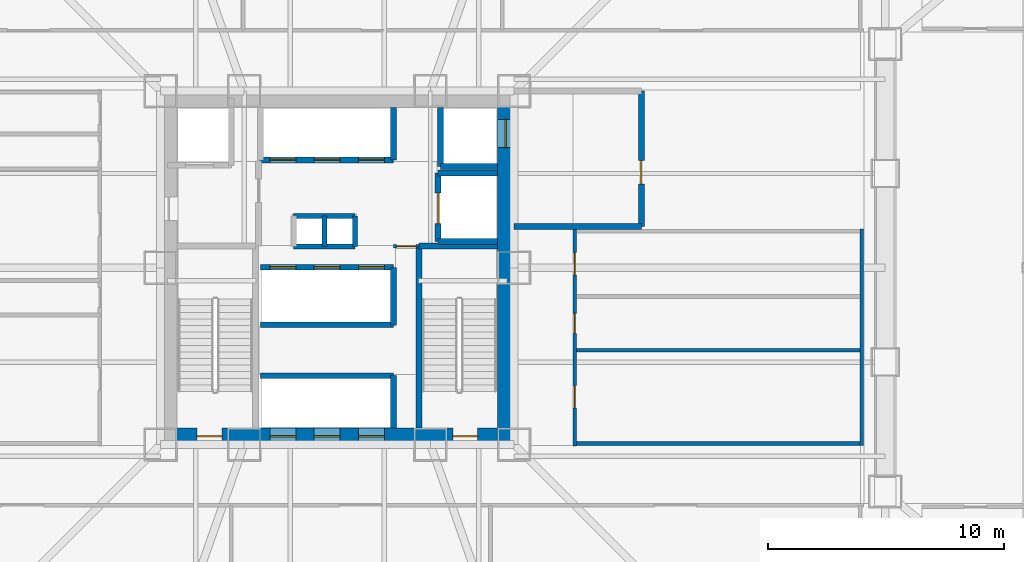
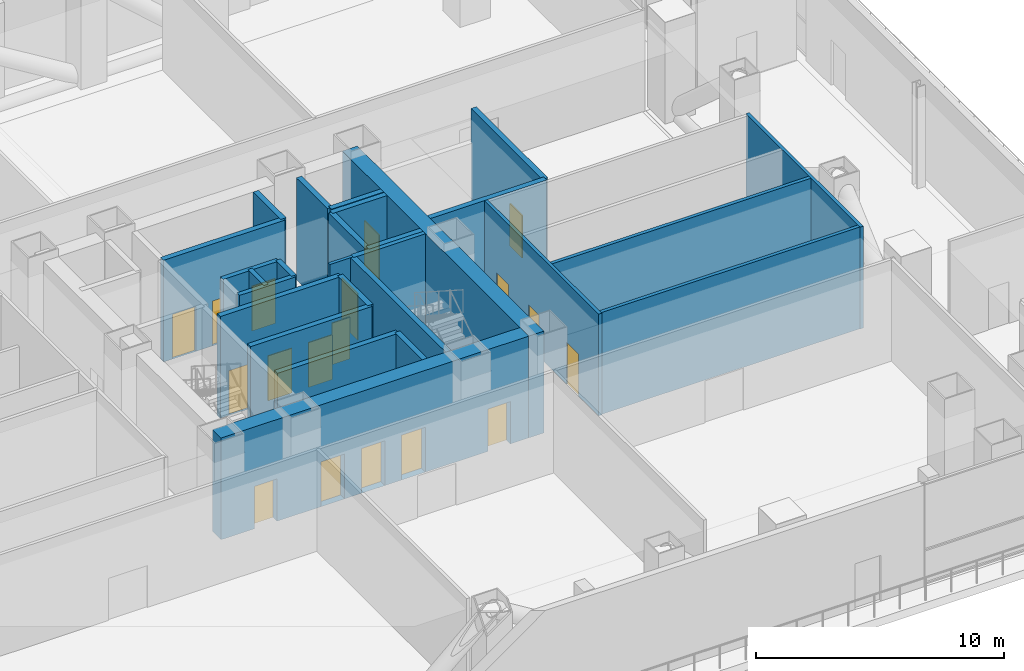
# One storey, part 15 of 21: 27 walls, 18 doors, 18 openings.
"""IFC4 building model written with IfcOpenShell, lengths in metres."""

from ifc_helpers import new_model, si_unit, direction, frame, frame_2d, origin, place, context, subcontext, project, spatial, rectangle, extrude, material, layer, layer_set, type_object, element, fill, save


model = new_model("IFC4")

# Units and contexts
model_context = context("Model", 3, precision=1e-05, world=origin(), true_north=direction((0.0, 1.0)))
body_context = subcontext(model_context, "Body", "Model", "MODEL_VIEW")
ifc_project = project(units=[si_unit("LENGTHUNIT", "METRE"), si_unit("AREAUNIT", "SQUARE_METRE"), si_unit("VOLUMEUNIT", "CUBIC_METRE"), si_unit("PLANEANGLEUNIT", "RADIAN"), si_unit("MASSUNIT", "GRAM", prefix="KILO")], contexts=[model_context])

# Site, building, storey
site_placement = place(None, origin())
site = spatial("IfcSite", under=ifc_project, at=site_placement, CompositionType="ELEMENT")
building_placement = place(site_placement, origin())
building = spatial("IfcBuilding", under=site, at=building_placement, Name="Trevonay Congress Spire", CompositionType="ELEMENT")
storey_placement = place(building_placement, frame((0.0, 0.0, 21.60009765625)))
storey = spatial("IfcBuildingStorey", under=building, at=storey_placement, Name="L04", CompositionType="ELEMENT", Elevation=21.60009765625)

# Wall, openings, doors
ifc_material_1 = material(Name="Concrete C60/75", Category="concrete")
ifc_layer_1 = layer(ifc_material_1, 0.699951171875, Name="Concrete C60/75")
ifc_layer_set_1 = layer_set([ifc_layer_1], Name="Concrete C60/75")
wall_type_1 = type_object("IfcWallType", Name="WAL-CORE-700", PredefinedType="SHEAR", material=ifc_layer_set_1)
wall_1_placement = place(storey_placement, frame((-7.5, -7.14990234375, 0.0), z_axis=(0.0, 0.0, 1.0), x_axis=(1.0, 0.0, 0.0)))
wall_1 = element("IfcWall", 1, at=wall_1_placement, inside=storey, type_object=wall_type_1, Name="L04 South structural core shear wall", PredefinedType="SHEAR", context=body_context, shape_type="SweptSolid", body=[
    extrude(rectangle(XDim=15.0, YDim=0.699951171875, at=frame_2d((7.5, 0.0))), origin(), (0.0, 0.0, 1.0), 5.0),
])
opening_1_placement = place(wall_1_placement, frame((1.550048828125, 0.0, 0.0)))
opening_1 = element("IfcOpeningElement", 2, at=opening_1_placement, cuts=wall_1, Name="Opening D05", PredefinedType="OPENING", context=body_context, shape_type="SweptSolid", body=[
    extrude(rectangle(XDim=1.050048828125, YDim=2.080078125, at=frame_2d((0.52490234375, 1.0400390625))), frame((0.0, 0.35986328125, 0.0), z_axis=(0.0, -1.0, 0.0), x_axis=(1.0, 0.0, 0.0)), (0.0, 0.0, 1.0), 0.719970703125),
])
opening_2_placement = place(wall_1_placement, frame((12.39990234375, 0.0, 0.0)))
opening_2 = element("IfcOpeningElement", 3, at=opening_2_placement, cuts=wall_1, Name="Opening D05", PredefinedType="OPENING", context=body_context, shape_type="SweptSolid", body=[
    extrude(rectangle(XDim=1.050048828125, YDim=2.080078125, at=frame_2d((0.52490234375, 1.0400390625))), frame((0.0, 0.35986328125, 0.0), z_axis=(0.0, -1.0, 0.0), x_axis=(1.0, 0.0, 0.0)), (0.0, 0.0, 1.0), 0.719970703125),
])
opening_3_placement = place(wall_1_placement, frame((4.639892578125, 0.0, 0.0)))
opening_3 = element("IfcOpeningElement", 4, at=opening_3_placement, cuts=wall_1, Name="Opening LD01", PredefinedType="OPENING", context=body_context, shape_type="SweptSolid", body=[
    extrude(rectangle(XDim=1.10009765625, YDim=2.199951171875, at=frame_2d((0.550048828125, 1.10009765625))), frame((0.0, 0.35986328125, 0.0), z_axis=(0.0, -1.0, 0.0), x_axis=(1.0, 0.0, 0.0)), (0.0, 0.0, 1.0), 0.719970703125),
])
opening_4_placement = place(wall_1_placement, frame((6.52001953125, 0.0, 0.0)))
opening_4 = element("IfcOpeningElement", 5, at=opening_4_placement, cuts=wall_1, Name="Opening LD01", PredefinedType="OPENING", context=body_context, shape_type="SweptSolid", body=[
    extrude(rectangle(XDim=1.10009765625, YDim=2.199951171875, at=frame_2d((0.550048828125, 1.10009765625))), frame((0.0, 0.35986328125, 0.0), z_axis=(0.0, -1.0, 0.0), x_axis=(1.0, 0.0, 0.0)), (0.0, 0.0, 1.0), 0.719970703125),
])
opening_5_placement = place(wall_1_placement, frame((8.39990234375, 0.0, 0.0)))
opening_5 = element("IfcOpeningElement", 6, at=opening_5_placement, cuts=wall_1, Name="Opening LD01", PredefinedType="OPENING", context=body_context, shape_type="SweptSolid", body=[
    extrude(rectangle(XDim=1.10009765625, YDim=2.199951171875, at=frame_2d((0.550048828125, 1.10009765625))), frame((0.0, 0.35986328125, 0.0), z_axis=(0.0, -1.0, 0.0), x_axis=(1.0, 0.0, 0.0)), (0.0, 0.0, 1.0), 0.719970703125),
])
ifc_material_2 = material(Name="Pale Anodised Aluminium EN AW-6063-T6", Category="aluminium")
door_type_1 = type_object("IfcDoorType", Name="DOR-LIFT-LD01", OperationType="DOUBLE_DOOR_SLIDING", PredefinedType="DOOR", material=ifc_material_2)
door_1_placement = place(opening_3_placement, origin())
door_1 = element("IfcDoor", 7, at=door_1_placement, inside=storey, type_object=door_type_1, Name="L04 Passenger lift PL-01 landing door", OperationType="DOUBLE_DOOR_SLIDING", OverallHeight=2.199951171875, OverallWidth=1.10009765625, PredefinedType="DOOR", context=body_context, shape_type="SweptSolid", body=[
    extrude(rectangle(XDim=1.10009765625, YDim=2.199951171875, at=frame_2d((0.550048828125, 1.10009765625))), frame((0.0, 0.02490234375, 0.0), z_axis=(0.0, -1.0, 0.0), x_axis=(1.0, 0.0, 0.0)), (0.0, 0.0, 1.0), 0.050048828125),
])
fill(opening_3, door_1)
door_2_placement = place(opening_4_placement, origin())
door_2 = element("IfcDoor", 8, at=door_2_placement, inside=storey, type_object=door_type_1, Name="L04 Passenger lift PL-02 landing door", OperationType="DOUBLE_DOOR_SLIDING", OverallHeight=2.199951171875, OverallWidth=1.10009765625, PredefinedType="DOOR", context=body_context, shape_type="SweptSolid", body=[
    extrude(rectangle(XDim=1.10009765625, YDim=2.199951171875, at=frame_2d((0.550048828125, 1.10009765625))), frame((0.0, 0.02490234375, 0.0), z_axis=(0.0, -1.0, 0.0), x_axis=(1.0, 0.0, 0.0)), (0.0, 0.0, 1.0), 0.050048828125),
])
fill(opening_4, door_2)
door_3_placement = place(opening_5_placement, origin())
door_3 = element("IfcDoor", 9, at=door_3_placement, inside=storey, type_object=door_type_1, Name="L04 Passenger lift PL-03 landing door", OperationType="DOUBLE_DOOR_SLIDING", OverallHeight=2.199951171875, OverallWidth=1.10009765625, PredefinedType="DOOR", context=body_context, shape_type="SweptSolid", body=[
    extrude(rectangle(XDim=1.10009765625, YDim=2.199951171875, at=frame_2d((0.550048828125, 1.10009765625))), frame((0.0, 0.02490234375, 0.0), z_axis=(0.0, -1.0, 0.0), x_axis=(1.0, 0.0, 0.0)), (0.0, 0.0, 1.0), 0.050048828125),
])
fill(opening_5, door_3)
ifc_material_3 = material(Name="Steel ASTM A572 Grade 50", Category="steel")
door_type_2 = type_object("IfcDoorType", Name="DOR-STAIR-110", OperationType="NOTDEFINED", PredefinedType="DOOR", material=ifc_material_3)
door_4_placement = place(opening_1_placement, origin())
door_4 = element("IfcDoor", 10, at=door_4_placement, inside=storey, type_object=door_type_2, Name="L04 Protected Stair ST-1 Door", OperationType="SINGLE_SWING_LEFT", OverallHeight=2.080078125, OverallWidth=1.050048828125, PredefinedType="DOOR", context=body_context, shape_type="SweptSolid", body=[
    extrude(rectangle(XDim=1.050048828125, YDim=2.080078125, at=frame_2d((0.52490234375, 1.0400390625))), frame((0.0, 0.02490234375, 0.0), z_axis=(0.0, -1.0, 0.0), x_axis=(1.0, 0.0, 0.0)), (0.0, 0.0, 1.0), 0.050048828125),
])
fill(opening_1, door_4)
door_5_placement = place(opening_2_placement, origin())
door_5 = element("IfcDoor", 11, at=door_5_placement, inside=storey, type_object=door_type_2, Name="L04 Protected Stair ST-2 Door", OperationType="SINGLE_SWING_RIGHT", OverallHeight=2.080078125, OverallWidth=1.050048828125, PredefinedType="DOOR", context=body_context, shape_type="SweptSolid", body=[
    extrude(rectangle(XDim=1.050048828125, YDim=2.080078125, at=frame_2d((0.52490234375, 1.0400390625))), frame((0.0, 0.02490234375, 0.0), z_axis=(0.0, -1.0, 0.0), x_axis=(1.0, 0.0, 0.0)), (0.0, 0.0, 1.0), 0.050048828125),
])
fill(opening_2, door_5)

# Wall, opening, door
wall_2_placement = place(storey_placement, frame((7.14990234375, -7.5, 0.0), z_axis=(0.0, 0.0, 1.0), x_axis=(0.0, 1.0, 0.0)))
wall_2 = element("IfcWall", 12, at=wall_2_placement, inside=storey, type_object=wall_type_1, Name="L04 East structural core shear wall", PredefinedType="SHEAR", context=body_context, shape_type="SweptSolid", body=[
    extrude(rectangle(XDim=15.0, YDim=0.699951171875, at=frame_2d((7.5, 0.0))), origin(), (0.0, 0.0, 1.0), 5.0),
])
opening_6_placement = place(wall_2_placement, frame((12.60009765625, 0.0, 0.0)))
opening_6 = element("IfcOpeningElement", 13, at=opening_6_placement, cuts=wall_2, Name="Opening LD04", PredefinedType="OPENING", context=body_context, shape_type="SweptSolid", body=[
    extrude(rectangle(XDim=1.199951171875, YDim=2.199951171875, at=frame_2d((0.60009765625, 1.10009765625))), frame((0.0, 0.35986328125, 0.0), z_axis=(0.0, -1.0, 0.0), x_axis=(1.0, 0.0, 0.0)), (0.0, 0.0, 1.0), 0.719970703125),
])
door_type_3 = type_object("IfcDoorType", Name="DOR-LIFT-LD04", OperationType="DOUBLE_DOOR_SLIDING", PredefinedType="DOOR", material=ifc_material_3)
door_6_placement = place(opening_6_placement, origin())
door_6 = element("IfcDoor", 14, at=door_6_placement, inside=storey, type_object=door_type_3, Name="L04 Firefighting lift FFL-02 landing door", OperationType="DOUBLE_DOOR_SLIDING", OverallHeight=2.199951171875, OverallWidth=1.199951171875, PredefinedType="DOOR", context=body_context, shape_type="SweptSolid", body=[
    extrude(rectangle(XDim=1.199951171875, YDim=2.199951171875, at=frame_2d((0.60009765625, 1.10009765625))), frame((0.0, 0.02490234375, 0.0), z_axis=(0.0, -1.0, 0.0), x_axis=(1.0, 0.0, 0.0)), (0.0, 0.0, 1.0), 0.050048828125),
])
fill(opening_6, door_6)

# Wall, openings, doors
ifc_material_4 = material(Name="Concrete C40/50", Category="concrete")
ifc_layer_2 = layer(ifc_material_4, 0.14990234375, Name="Concrete C40/50")
ifc_layer_set_2 = layer_set([ifc_layer_2], Name="Concrete C40/50")
wall_type_2 = type_object("IfcWallType", Name="WAL-CORR-150", PredefinedType="PARTITIONING", material=ifc_layer_set_2)
wall_3_placement = place(storey_placement, frame((10.080078125, -7.570068359375, 0.0), z_axis=(0.0, 0.0, 1.0), x_axis=(0.0, 1.0, 0.0)))
wall_3 = element("IfcWall", 15, at=wall_3_placement, inside=storey, type_object=wall_type_2, Name="L04 interior wall WP-L04E-COR", PredefinedType="PARTITIONING", context=body_context, shape_type="SweptSolid", body=[
    extrude(rectangle(XDim=9.239990234375, YDim=0.14990234375, at=frame_2d((4.6201171875, 0.0))), origin(), (0.0, 0.0, 1.0), 5.0),
])
opening_7_placement = place(wall_3_placement, frame((1.6201171875, 0.0, 0.0)))
opening_7 = element("IfcOpeningElement", 16, at=opening_7_placement, cuts=wall_3, Name="Opening D07", PredefinedType="OPENING", context=body_context, shape_type="SweptSolid", body=[
    extrude(rectangle(XDim=0.949951171875, YDim=2.06005859375, at=frame_2d((0.47509765625, 1.030029296875))), frame((0.0, 0.0849609375, 0.0), z_axis=(0.0, -1.0, 0.0), x_axis=(1.0, 0.0, 0.0)), (0.0, 0.0, 1.0), 0.169921875),
])
opening_8_placement = place(wall_3_placement, frame((4.784912109375, 0.0, 0.0)))
opening_8 = element("IfcOpeningElement", 17, at=opening_8_placement, cuts=wall_3, Name="Opening D10", PredefinedType="OPENING", context=body_context, shape_type="SweptSolid", body=[
    extrude(rectangle(XDim=0.85009765625, YDim=2.050048828125, at=frame_2d((0.425048828125, 1.02490234375))), frame((0.0, 0.0849609375, 0.0), z_axis=(0.0, -1.0, 0.0), x_axis=(1.0, 0.0, 0.0)), (0.0, 0.0, 1.0), 0.169921875),
])
opening_9_placement = place(wall_3_placement, frame((7.260009765625, 0.0, 0.0)))
opening_9 = element("IfcOpeningElement", 18, at=opening_9_placement, cuts=wall_3, Name="Opening D07", PredefinedType="OPENING", context=body_context, shape_type="SweptSolid", body=[
    extrude(rectangle(XDim=0.949951171875, YDim=2.06005859375, at=frame_2d((0.47509765625, 1.030029296875))), frame((0.0, 0.0849609375, 0.0), z_axis=(0.0, -1.0, 0.0), x_axis=(1.0, 0.0, 0.0)), (0.0, 0.0, 1.0), 0.169921875),
])
door_type_4 = type_object("IfcDoorType", Name="DOR-OFFICE-95", OperationType="NOTDEFINED", PredefinedType="DOOR", material=ifc_material_2)
door_7_placement = place(opening_7_placement, origin())
door_7 = element("IfcDoor", 19, at=door_7_placement, inside=storey, type_object=door_type_4, Name="L04 Podium Terrace Garden Lounge Door", OperationType="SINGLE_SWING_LEFT", OverallHeight=2.06005859375, OverallWidth=0.949951171875, PredefinedType="DOOR", context=body_context, shape_type="SweptSolid", body=[
    extrude(rectangle(XDim=0.949951171875, YDim=2.06005859375, at=frame_2d((0.47509765625, 1.030029296875))), frame((0.0, 0.02490234375, 0.0), z_axis=(0.0, -1.0, 0.0), x_axis=(1.0, 0.0, 0.0)), (0.0, 0.0, 1.0), 0.050048828125),
])
fill(opening_7, door_7)
door_8_placement = place(opening_9_placement, origin())
door_8 = element("IfcDoor", 20, at=door_8_placement, inside=storey, type_object=door_type_4, Name="L04 Floor Supplies and Copy Room Door", OperationType="SINGLE_SWING_LEFT", OverallHeight=2.06005859375, OverallWidth=0.949951171875, PredefinedType="DOOR", context=body_context, shape_type="SweptSolid", body=[
    extrude(rectangle(XDim=0.949951171875, YDim=2.06005859375, at=frame_2d((0.47509765625, 1.030029296875))), frame((0.0, 0.02490234375, 0.0), z_axis=(0.0, -1.0, 0.0), x_axis=(1.0, 0.0, 0.0)), (0.0, 0.0, 1.0), 0.050048828125),
])
fill(opening_9, door_8)
door_type_5 = type_object("IfcDoorType", Name="DOR-WC-85", OperationType="NOTDEFINED", PredefinedType="DOOR", material=ifc_material_2)
door_9_placement = place(opening_8_placement, origin())
door_9 = element("IfcDoor", 21, at=door_9_placement, inside=storey, type_object=door_type_5, Name="L04 Female Restroom WC Door", OperationType="SINGLE_SWING_RIGHT", OverallHeight=2.050048828125, OverallWidth=0.85009765625, PredefinedType="DOOR", context=body_context, shape_type="SweptSolid", body=[
    extrude(rectangle(XDim=0.85009765625, YDim=2.050048828125, at=frame_2d((0.425048828125, 1.02490234375))), frame((0.0, 0.02490234375, 0.0), z_axis=(0.0, -1.0, 0.0), x_axis=(1.0, 0.0, 0.0)), (0.0, 0.0, 1.0), 0.050048828125),
])
fill(opening_8, door_9)

# Wall, opening, door
ifc_layer_3 = layer(ifc_material_4, 0.14990234375, Name="Concrete C40/50")
ifc_layer_set_3 = layer_set([ifc_layer_3], Name="Concrete C40/50")
wall_type_3 = type_object("IfcWallType", Name="WAL-PART-150", PredefinedType="PARTITIONING", material=ifc_layer_set_3)
wall_4_placement = place(storey_placement, frame((2.3798828125, 0.919921875, 0.0), z_axis=(0.0, 0.0, 1.0), x_axis=(1.0, 0.0, 0.0)))
wall_4 = element("IfcWall", 22, at=wall_4_placement, inside=storey, type_object=wall_type_3, Name="L04 interior wall CW-CSRV-N-L04", PredefinedType="PARTITIONING", context=body_context, shape_type="SweptSolid", body=[
    extrude(rectangle(XDim=1.090087890625, YDim=0.14990234375, at=frame_2d((0.544921875, 0.0))), origin(), (0.0, 0.0, 1.0), 5.0),
])
opening_10_placement = place(wall_4_placement, frame((0.135009765625, 0.0, 0.0)))
opening_10 = element("IfcOpeningElement", 23, at=opening_10_placement, cuts=wall_4, Name="Opening D13", PredefinedType="OPENING", context=body_context, shape_type="SweptSolid", body=[
    extrude(rectangle(XDim=0.820068359375, YDim=2.050048828125, at=frame_2d((0.41015625, 1.02490234375))), frame((0.0, 0.0849609375, 0.0), z_axis=(0.0, -1.0, 0.0), x_axis=(1.0, 0.0, 0.0)), (0.0, 0.0, 1.0), 0.169921875),
])
door_type_6 = type_object("IfcDoorType", Name="DOR-UTIL-80", OperationType="NOTDEFINED", PredefinedType="DOOR", material=ifc_material_3)
door_10_placement = place(opening_10_placement, origin())
door_10 = element("IfcDoor", 24, at=door_10_placement, inside=storey, type_object=door_type_6, Name="L04 Core Service Pocket Door", OperationType="SINGLE_SWING_LEFT", OverallHeight=2.050048828125, OverallWidth=0.820068359375, PredefinedType="DOOR", context=body_context, shape_type="SweptSolid", body=[
    extrude(rectangle(XDim=0.820068359375, YDim=2.050048828125, at=frame_2d((0.41015625, 1.02490234375))), frame((0.0, 0.02490234375, 0.0), z_axis=(0.0, -1.0, 0.0), x_axis=(1.0, 0.0, 0.0)), (0.0, 0.0, 1.0), 0.050048828125),
])
fill(opening_10, door_10)

# Walls
wall_5_placement = place(storey_placement, frame((22.25, -7.550048828125, 0.0), z_axis=(0.0, 0.0, 1.0), x_axis=(0.0, 1.0, 0.0)))
element("IfcWall", 25, at=wall_5_placement, inside=storey, type_object=wall_type_3, Name="L04 interior wall WL04-ECLS", PredefinedType="PARTITIONING", context=body_context, shape_type="SweptSolid", body=[
    extrude(rectangle(XDim=9.199951171875, YDim=0.14990234375, at=frame_2d((4.60009765625, 0.0))), origin(), (0.0, 0.0, 1.0), 5.0),
])
ifc_layer_4 = layer(ifc_material_4, 0.219970703125, Name="Concrete C40/50")
ifc_layer_set_4 = layer_set([ifc_layer_4], Name="Concrete C40/50")
wall_type_4 = type_object("IfcWallType", Name="WAL-SHAFT-220", PredefinedType="PARTITIONING", material=ifc_layer_set_4)
for number, where, z_axis, x_axis, name in (
    (26, (-1.85009765625, 2.199951171875, 0.0), (0.0, 0.0, 1.0), (1.0, 0.0, 0.0), "L04 interior shaft wall WSH-L04-RSR-N"),
    (27, (-1.85009765625, 0.89990234375, 0.0), (0.0, 0.0, 1.0), (1.0, 0.0, 0.0), "L04 interior shaft wall WSH-L04-RSR-S"),
):
    element("IfcWall", number, at=place(storey_placement, frame(where, z_axis=z_axis, x_axis=x_axis)), inside=storey, type_object=wall_type_4, Name=name, PredefinedType="PARTITIONING", context=body_context, shape_type="SweptSolid", body=[
        extrude(rectangle(XDim=2.60009765625, YDim=0.219970703125, at=frame_2d((1.300048828125, 0.0))), origin(), (0.0, 0.0, 1.0), 5.0),
    ])
for number, where, z_axis, x_axis, name in (
    (28, (-0.550048828125, 0.89990234375, 0.0), (0.0, 0.0, 1.0), (0.0, 1.0, 0.0), "L04 interior shaft wall WSH-L04-RSR-M"),
    (29, (0.75, 0.89990234375, 0.0), (0.0, 0.0, 1.0), (0.0, 1.0, 0.0), "L04 interior shaft wall WSH-L04-RSR-E"),
):
    element("IfcWall", number, at=place(storey_placement, frame(where, z_axis=z_axis, x_axis=x_axis)), inside=storey, type_object=wall_type_4, Name=name, PredefinedType="PARTITIONING", context=body_context, shape_type="SweptSolid", body=[
        extrude(rectangle(XDim=1.300048828125, YDim=0.219970703125, at=frame_2d((0.64990234375, 0.0))), origin(), (0.0, 0.0, 1.0), 5.0),
    ])
ifc_layer_5 = layer(ifc_material_4, 0.25, Name="Concrete C40/50")
ifc_layer_set_5 = layer_set([ifc_layer_5], Name="Concrete C40/50")
wall_type_5 = type_object("IfcWallType", Name="WAL-SHAFT-250", PredefinedType="SHEAR", material=ifc_layer_set_5)
wall_6_placement = place(storey_placement, frame((-3.260009765625, -4.580078125, 0.0), z_axis=(0.0, 0.0, 1.0), x_axis=(1.0, 0.0, 0.0)))
element("IfcWall", 30, at=wall_6_placement, inside=storey, type_object=wall_type_5, Name="L04 interior shaft wall WSH-L04-B1-N", PredefinedType="SHEAR", context=body_context, shape_type="SweptSolid", body=[
    extrude(rectangle(XDim=5.639892578125, YDim=0.25, at=frame_2d((2.81982421875, 0.0))), origin(), (0.0, 0.0, 1.0), 5.0),
])
wall_7_placement = place(storey_placement, frame((2.3798828125, -6.800048828125, 0.0), z_axis=(0.0, 0.0, 1.0), x_axis=(0.0, 1.0, 0.0)))
element("IfcWall", 31, at=wall_7_placement, inside=storey, type_object=wall_type_5, Name="L04 interior shaft wall WSH-L04-B1-E", PredefinedType="SHEAR", context=body_context, shape_type="SweptSolid", body=[
    extrude(rectangle(XDim=2.219970703125, YDim=0.25, at=frame_2d((1.10986328125, 0.0))), origin(), (0.0, 0.0, 1.0), 5.0),
])

# Wall, openings, doors
wall_8_placement = place(storey_placement, frame((-3.260009765625, 0.02001953125, 0.0), z_axis=(0.0, 0.0, 1.0), x_axis=(1.0, 0.0, 0.0)))
wall_8 = element("IfcWall", 32, at=wall_8_placement, inside=storey, type_object=wall_type_5, Name="L04 interior shaft wall WSH-L04-B2-N", PredefinedType="SHEAR", context=body_context, shape_type="SweptSolid", body=[
    extrude(rectangle(XDim=5.639892578125, YDim=0.25, at=frame_2d((2.81982421875, 0.0))), origin(), (0.0, 0.0, 1.0), 5.0),
])
opening_11_placement = place(wall_8_placement, frame((0.39990234375, 0.0, 0.0)))
opening_11 = element("IfcOpeningElement", 33, at=opening_11_placement, cuts=wall_8, Name="Opening LD02", PredefinedType="OPENING", context=body_context, shape_type="SweptSolid", body=[
    extrude(rectangle(XDim=1.10009765625, YDim=2.199951171875, at=frame_2d((0.550048828125, 1.10009765625))), frame((0.0, 0.135009765625, 0.0), z_axis=(0.0, -1.0, 0.0), x_axis=(1.0, 0.0, 0.0)), (0.0, 0.0, 1.0), 0.27001953125),
])
opening_12_placement = place(wall_8_placement, frame((2.280029296875, 0.0, 0.0)))
opening_12 = element("IfcOpeningElement", 34, at=opening_12_placement, cuts=wall_8, Name="Opening LD02", PredefinedType="OPENING", context=body_context, shape_type="SweptSolid", body=[
    extrude(rectangle(XDim=1.10009765625, YDim=2.199951171875, at=frame_2d((0.550048828125, 1.10009765625))), frame((0.0, 0.135009765625, 0.0), z_axis=(0.0, -1.0, 0.0), x_axis=(1.0, 0.0, 0.0)), (0.0, 0.0, 1.0), 0.27001953125),
])
opening_13_placement = place(wall_8_placement, frame((4.159912109375, 0.0, 0.0)))
opening_13 = element("IfcOpeningElement", 35, at=opening_13_placement, cuts=wall_8, Name="Opening LD02", PredefinedType="OPENING", context=body_context, shape_type="SweptSolid", body=[
    extrude(rectangle(XDim=1.10009765625, YDim=2.199951171875, at=frame_2d((0.550048828125, 1.10009765625))), frame((0.0, 0.135009765625, 0.0), z_axis=(0.0, -1.0, 0.0), x_axis=(1.0, 0.0, 0.0)), (0.0, 0.0, 1.0), 0.27001953125),
])
door_type_7 = type_object("IfcDoorType", Name="DOR-LIFT-LD02", OperationType="DOUBLE_DOOR_SLIDING", PredefinedType="DOOR", material=ifc_material_2)
door_11_placement = place(opening_11_placement, origin())
door_11 = element("IfcDoor", 36, at=door_11_placement, inside=storey, type_object=door_type_7, Name="L04 Passenger lift PL-04 landing door", OperationType="DOUBLE_DOOR_SLIDING", OverallHeight=2.199951171875, OverallWidth=1.10009765625, PredefinedType="DOOR", context=body_context, shape_type="SweptSolid", body=[
    extrude(rectangle(XDim=1.10009765625, YDim=2.199951171875, at=frame_2d((0.550048828125, 1.10009765625))), frame((0.0, 0.02490234375, 0.0), z_axis=(0.0, -1.0, 0.0), x_axis=(1.0, 0.0, 0.0)), (0.0, 0.0, 1.0), 0.050048828125),
])
fill(opening_11, door_11)
door_12_placement = place(opening_12_placement, origin())
door_12 = element("IfcDoor", 37, at=door_12_placement, inside=storey, type_object=door_type_7, Name="L04 Passenger lift PL-05 landing door", OperationType="DOUBLE_DOOR_SLIDING", OverallHeight=2.199951171875, OverallWidth=1.10009765625, PredefinedType="DOOR", context=body_context, shape_type="SweptSolid", body=[
    extrude(rectangle(XDim=1.10009765625, YDim=2.199951171875, at=frame_2d((0.550048828125, 1.10009765625))), frame((0.0, 0.02490234375, 0.0), z_axis=(0.0, -1.0, 0.0), x_axis=(1.0, 0.0, 0.0)), (0.0, 0.0, 1.0), 0.050048828125),
])
fill(opening_12, door_12)
door_13_placement = place(opening_13_placement, origin())
door_13 = element("IfcDoor", 38, at=door_13_placement, inside=storey, type_object=door_type_7, Name="L04 Passenger lift PL-06 landing door", OperationType="DOUBLE_DOOR_SLIDING", OverallHeight=2.199951171875, OverallWidth=1.10009765625, PredefinedType="DOOR", context=body_context, shape_type="SweptSolid", body=[
    extrude(rectangle(XDim=1.10009765625, YDim=2.199951171875, at=frame_2d((0.550048828125, 1.10009765625))), frame((0.0, 0.02490234375, 0.0), z_axis=(0.0, -1.0, 0.0), x_axis=(1.0, 0.0, 0.0)), (0.0, 0.0, 1.0), 0.050048828125),
])
fill(opening_13, door_13)

# Walls
wall_9_placement = place(storey_placement, frame((-3.260009765625, -2.419921875, 0.0), z_axis=(0.0, 0.0, 1.0), x_axis=(1.0, 0.0, 0.0)))
element("IfcWall", 39, at=wall_9_placement, inside=storey, type_object=wall_type_5, Name="L04 interior shaft wall WSH-L04-B2-S", PredefinedType="SHEAR", context=body_context, shape_type="SweptSolid", body=[
    extrude(rectangle(XDim=5.639892578125, YDim=0.25, at=frame_2d((2.81982421875, 0.0))), origin(), (0.0, 0.0, 1.0), 5.0),
])
wall_10_placement = place(storey_placement, frame((2.3798828125, -2.419921875, 0.0), z_axis=(0.0, 0.0, 1.0), x_axis=(0.0, 1.0, 0.0)))
element("IfcWall", 40, at=wall_10_placement, inside=storey, type_object=wall_type_5, Name="L04 interior shaft wall WSH-L04-B2-E", PredefinedType="SHEAR", context=body_context, shape_type="SweptSolid", body=[
    extrude(rectangle(XDim=2.43994140625, YDim=0.25, at=frame_2d((1.219970703125, 0.0))), origin(), (0.0, 0.0, 1.0), 5.0),
])

# Wall, openings, doors
wall_11_placement = place(storey_placement, frame((-3.260009765625, 4.580078125, 0.0), z_axis=(0.0, 0.0, 1.0), x_axis=(1.0, 0.0, 0.0)))
wall_11 = element("IfcWall", 41, at=wall_11_placement, inside=storey, type_object=wall_type_5, Name="L04 interior shaft wall WSH-L04-B3-S", PredefinedType="SHEAR", context=body_context, shape_type="SweptSolid", body=[
    extrude(rectangle(XDim=5.639892578125, YDim=0.25, at=frame_2d((2.81982421875, 0.0))), origin(), (0.0, 0.0, 1.0), 5.0),
])
opening_14_placement = place(wall_11_placement, frame((0.39990234375, 0.0, 0.0)))
opening_14 = element("IfcOpeningElement", 42, at=opening_14_placement, cuts=wall_11, Name="Opening LD03", PredefinedType="OPENING", context=body_context, shape_type="SweptSolid", body=[
    extrude(rectangle(XDim=1.10009765625, YDim=2.199951171875, at=frame_2d((0.550048828125, 1.10009765625))), frame((0.0, 0.135009765625, 0.0), z_axis=(0.0, -1.0, 0.0), x_axis=(1.0, 0.0, 0.0)), (0.0, 0.0, 1.0), 0.27001953125),
])
opening_15_placement = place(wall_11_placement, frame((2.280029296875, 0.0, 0.0)))
opening_15 = element("IfcOpeningElement", 43, at=opening_15_placement, cuts=wall_11, Name="Opening LD03", PredefinedType="OPENING", context=body_context, shape_type="SweptSolid", body=[
    extrude(rectangle(XDim=1.10009765625, YDim=2.199951171875, at=frame_2d((0.550048828125, 1.10009765625))), frame((0.0, 0.135009765625, 0.0), z_axis=(0.0, -1.0, 0.0), x_axis=(1.0, 0.0, 0.0)), (0.0, 0.0, 1.0), 0.27001953125),
])
opening_16_placement = place(wall_11_placement, frame((4.159912109375, 0.0, 0.0)))
opening_16 = element("IfcOpeningElement", 44, at=opening_16_placement, cuts=wall_11, Name="Opening LD03", PredefinedType="OPENING", context=body_context, shape_type="SweptSolid", body=[
    extrude(rectangle(XDim=1.10009765625, YDim=2.199951171875, at=frame_2d((0.550048828125, 1.10009765625))), frame((0.0, 0.135009765625, 0.0), z_axis=(0.0, -1.0, 0.0), x_axis=(1.0, 0.0, 0.0)), (0.0, 0.0, 1.0), 0.27001953125),
])
door_type_8 = type_object("IfcDoorType", Name="DOR-LIFT-LD03", OperationType="DOUBLE_DOOR_SLIDING", PredefinedType="DOOR", material=ifc_material_2)
door_14_placement = place(opening_14_placement, origin())
door_14 = element("IfcDoor", 45, at=door_14_placement, inside=storey, type_object=door_type_8, Name="L04 Passenger lift PL-07 landing door", OperationType="DOUBLE_DOOR_SLIDING", OverallHeight=2.199951171875, OverallWidth=1.10009765625, PredefinedType="DOOR", context=body_context, shape_type="SweptSolid", body=[
    extrude(rectangle(XDim=1.10009765625, YDim=2.199951171875, at=frame_2d((0.550048828125, 1.10009765625))), frame((0.0, 0.02490234375, 0.0), z_axis=(0.0, -1.0, 0.0), x_axis=(1.0, 0.0, 0.0)), (0.0, 0.0, 1.0), 0.050048828125),
])
fill(opening_14, door_14)
door_15_placement = place(opening_15_placement, origin())
door_15 = element("IfcDoor", 46, at=door_15_placement, inside=storey, type_object=door_type_8, Name="L04 Passenger lift PL-08 landing door", OperationType="DOUBLE_DOOR_SLIDING", OverallHeight=2.199951171875, OverallWidth=1.10009765625, PredefinedType="DOOR", context=body_context, shape_type="SweptSolid", body=[
    extrude(rectangle(XDim=1.10009765625, YDim=2.199951171875, at=frame_2d((0.550048828125, 1.10009765625))), frame((0.0, 0.02490234375, 0.0), z_axis=(0.0, -1.0, 0.0), x_axis=(1.0, 0.0, 0.0)), (0.0, 0.0, 1.0), 0.050048828125),
])
fill(opening_15, door_15)
door_16_placement = place(opening_16_placement, origin())
door_16 = element("IfcDoor", 47, at=door_16_placement, inside=storey, type_object=door_type_8, Name="L04 Passenger lift PL-09 landing door", OperationType="DOUBLE_DOOR_SLIDING", OverallHeight=2.199951171875, OverallWidth=1.10009765625, PredefinedType="DOOR", context=body_context, shape_type="SweptSolid", body=[
    extrude(rectangle(XDim=1.10009765625, YDim=2.199951171875, at=frame_2d((0.550048828125, 1.10009765625))), frame((0.0, 0.02490234375, 0.0), z_axis=(0.0, -1.0, 0.0), x_axis=(1.0, 0.0, 0.0)), (0.0, 0.0, 1.0), 0.050048828125),
])
fill(opening_16, door_16)

# Walls
wall_12_placement = place(storey_placement, frame((2.3798828125, 4.580078125, 0.0), z_axis=(0.0, 0.0, 1.0), x_axis=(0.0, 1.0, 0.0)))
element("IfcWall", 48, at=wall_12_placement, inside=storey, type_object=wall_type_5, Name="L04 interior shaft wall WSH-L04-B3-E", PredefinedType="SHEAR", context=body_context, shape_type="SweptSolid", body=[
    extrude(rectangle(XDim=2.219970703125, YDim=0.25, at=frame_2d((1.10986328125, 0.0))), origin(), (0.0, 0.0, 1.0), 5.0),
])
wall_13_placement = place(storey_placement, frame((4.3798828125, 4.300048828125, 0.0), z_axis=(0.0, 0.0, 1.0), x_axis=(1.0, 0.0, 0.0)))
element("IfcWall", 49, at=wall_13_placement, inside=storey, type_object=wall_type_5, Name="L04 interior shaft wall WSH-L04-FF2-S", PredefinedType="SHEAR", context=body_context, shape_type="SweptSolid", body=[
    extrude(rectangle(XDim=2.420166015625, YDim=0.25, at=frame_2d((1.2099609375, 0.0))), origin(), (0.0, 0.0, 1.0), 5.0),
])
wall_14_placement = place(storey_placement, frame((4.3798828125, 4.300048828125, 0.0), z_axis=(0.0, 0.0, 1.0), x_axis=(0.0, 1.0, 0.0)))
element("IfcWall", 50, at=wall_14_placement, inside=storey, type_object=wall_type_5, Name="L04 interior shaft wall WSH-L04-FF2-W", PredefinedType="SHEAR", context=body_context, shape_type="SweptSolid", body=[
    extrude(rectangle(XDim=2.5, YDim=0.25, at=frame_2d((1.25, 0.0))), origin(), (0.0, 0.0, 1.0), 5.0),
])

# Wall, opening, door
wall_15_placement = place(storey_placement, frame((4.280029296875, 1.1201171875, 0.0), z_axis=(0.0, 0.0, 1.0), x_axis=(0.0, 1.0, 0.0)))
wall_15 = element("IfcWall", 51, at=wall_15_placement, inside=storey, type_object=wall_type_5, Name="L04 interior shaft wall WSH-L04-SV-W", PredefinedType="SHEAR", context=body_context, shape_type="SweptSolid", body=[
    extrude(rectangle(XDim=2.89990234375, YDim=0.25, at=frame_2d((1.449951171875, 0.0))), origin(), (0.0, 0.0, 1.0), 5.0),
])
opening_17_placement = place(wall_15_placement, frame((0.75, 0.0, 0.0)))
opening_17 = element("IfcOpeningElement", 52, at=opening_17_placement, cuts=wall_15, Name="Opening LD05", PredefinedType="OPENING", context=body_context, shape_type="SweptSolid", body=[
    extrude(rectangle(XDim=1.300048828125, YDim=2.300048828125, at=frame_2d((0.64990234375, 1.14990234375))), frame((0.0, 0.135009765625, 0.0), z_axis=(0.0, -1.0, 0.0), x_axis=(1.0, 0.0, 0.0)), (0.0, 0.0, 1.0), 0.27001953125),
])
door_type_9 = type_object("IfcDoorType", Name="DOR-LIFT-LD05", OperationType="DOUBLE_DOOR_SLIDING", PredefinedType="DOOR", material=ifc_material_3)
door_17_placement = place(opening_17_placement, origin())
door_17 = element("IfcDoor", 53, at=door_17_placement, inside=storey, type_object=door_type_9, Name="L04 Goods lift SVL-01 landing door", OperationType="DOUBLE_DOOR_SLIDING", OverallHeight=2.300048828125, OverallWidth=1.300048828125, PredefinedType="DOOR", context=body_context, shape_type="SweptSolid", body=[
    extrude(rectangle(XDim=1.300048828125, YDim=2.300048828125, at=frame_2d((0.64990234375, 1.14990234375))), frame((0.0, 0.02490234375, 0.0), z_axis=(0.0, -1.0, 0.0), x_axis=(1.0, 0.0, 0.0)), (0.0, 0.0, 1.0), 0.050048828125),
])
fill(opening_17, door_17)

# Walls
for number, where, z_axis, x_axis, name in (
    (54, (4.280029296875, 1.1201171875, 0.0), (0.0, 0.0, 1.0), (1.0, 0.0, 0.0), "L04 interior shaft wall WSH-L04-SV-S"),
    (55, (4.280029296875, 4.02001953125, 0.0), (0.0, 0.0, 1.0), (1.0, 0.0, 0.0), "L04 interior shaft wall WSH-L04-SV-N"),
):
    element("IfcWall", number, at=place(storey_placement, frame(where, z_axis=z_axis, x_axis=x_axis)), inside=storey, type_object=wall_type_5, Name=name, PredefinedType="SHEAR", context=body_context, shape_type="SweptSolid", body=[
        extrude(rectangle(XDim=2.52001953125, YDim=0.25, at=frame_2d((1.260009765625, 0.0))), origin(), (0.0, 0.0, 1.0), 5.0),
    ])

# Wall, opening, door
wall_16_placement = place(storey_placement, frame((12.89990234375, 1.75, 0.0), z_axis=(0.0, 0.0, 1.0), x_axis=(0.0, 1.0, 0.0)))
wall_16 = element("IfcWall", 56, at=wall_16_placement, inside=storey, type_object=wall_type_5, Name="L04 interior wall WP-L04-FFLE-E", PredefinedType="SHEAR", context=body_context, shape_type="SweptSolid", body=[
    extrude(rectangle(XDim=5.75, YDim=0.25, at=frame_2d((2.875, 0.0))), origin(), (0.0, 0.0, 1.0), 5.0),
])
opening_18_placement = place(wall_16_placement, frame((1.800048828125, 0.0, 0.0)))
opening_18 = element("IfcOpeningElement", 57, at=opening_18_placement, cuts=wall_16, Name="Opening D06", PredefinedType="OPENING", context=body_context, shape_type="SweptSolid", body=[
    extrude(rectangle(XDim=1.0, YDim=2.080078125, at=frame_2d((0.5, 1.0400390625))), frame((0.0, 0.135009765625, 0.0), z_axis=(0.0, -1.0, 0.0), x_axis=(1.0, 0.0, 0.0)), (0.0, 0.0, 1.0), 0.27001953125),
])
door_type_10 = type_object("IfcDoorType", Name="DOR-FIRE-100", OperationType="NOTDEFINED", PredefinedType="DOOR", material=ifc_material_3)
door_18_placement = place(opening_18_placement, origin())
door_18 = element("IfcDoor", 58, at=door_18_placement, inside=storey, type_object=door_type_10, Name="L04 L04 Firefighting Lobby East Door", OperationType="SINGLE_SWING_RIGHT", OverallHeight=2.080078125, OverallWidth=1.0, PredefinedType="DOOR", context=body_context, shape_type="SweptSolid", body=[
    extrude(rectangle(XDim=1.0, YDim=2.080078125, at=frame_2d((0.5, 1.0400390625))), frame((0.0, 0.02490234375, 0.0), z_axis=(0.0, -1.0, 0.0), x_axis=(1.0, 0.0, 0.0)), (0.0, 0.0, 1.0), 0.050048828125),
])
fill(opening_18, door_18)

# Walls
wall_17_placement = place(storey_placement, frame((7.5, 1.75, 0.0), z_axis=(0.0, 0.0, 1.0), x_axis=(1.0, 0.0, 0.0)))
element("IfcWall", 59, at=wall_17_placement, inside=storey, type_object=wall_type_5, Name="L04 interior wall WP-L04-FFLE-S", PredefinedType="SHEAR", context=body_context, shape_type="SweptSolid", body=[
    extrude(rectangle(XDim=5.39990234375, YDim=0.25, at=frame_2d((2.699951171875, 0.0))), origin(), (0.0, 0.0, 1.0), 5.0),
])
ifc_layer_6 = layer(ifc_material_4, 0.25, Name="Concrete C40/50")
ifc_layer_set_6 = layer_set([ifc_layer_6], Name="Concrete C40/50")
wall_type_6 = type_object("IfcWallType", Name="WAL-SHAFT-LB-250", PredefinedType="SHEAR", material=ifc_layer_set_6)
wall_18_placement = place(storey_placement, frame((3.469970703125, -6.800048828125, 0.0), z_axis=(0.0, 0.0, 1.0), x_axis=(0.0, 1.0, 0.0)))
element("IfcWall", 60, at=wall_18_placement, inside=storey, type_object=wall_type_6, Name="L04 interior shaft wall WSH-L04-ST2-W", PredefinedType="SHEAR", context=body_context, shape_type="SweptSolid", body=[
    extrude(rectangle(XDim=7.719970703125, YDim=0.25, at=frame_2d((3.85986328125, 0.0))), origin(), (0.0, 0.0, 1.0), 5.0),
])
wall_19_placement = place(storey_placement, frame((3.469970703125, 0.919921875, 0.0), z_axis=(0.0, 0.0, 1.0), x_axis=(1.0, 0.0, 0.0)))
element("IfcWall", 61, at=wall_19_placement, inside=storey, type_object=wall_type_6, Name="L04 interior shaft wall WSH-L04-ST2-N", PredefinedType="SHEAR", context=body_context, shape_type="SweptSolid", body=[
    extrude(rectangle(XDim=3.330078125, YDim=0.25, at=frame_2d((1.6650390625, 0.0))), origin(), (0.0, 0.0, 1.0), 5.0),
])
ifc_layer_7 = layer(ifc_material_4, 0.1650390625, Name="Concrete C40/50")
ifc_layer_set_7 = layer_set([ifc_layer_7], Name="Concrete C40/50")
wall_type_7 = type_object("IfcWallType", Name="WAL-WET-165", PredefinedType="PLUMBINGWALL", material=ifc_layer_set_7)
for number, where, z_axis, x_axis, name in (
    (62, (10.080078125, -7.449951171875, 0.0), (0.0, 0.0, 1.0), (1.0, 0.0, 0.0), "L04 interior wall WP-L04E-DIV1"),
    (63, (10.080078125, -3.5, 0.0), (0.0, 0.0, 1.0), (1.0, 0.0, 0.0), "L04 interior wall WP-L04E-DIV2"),
):
    element("IfcWall", number, at=place(storey_placement, frame(where, z_axis=z_axis, x_axis=x_axis)), inside=storey, type_object=wall_type_7, Name=name, PredefinedType="PLUMBINGWALL", context=body_context, shape_type="SweptSolid", body=[
        extrude(rectangle(XDim=12.169921875, YDim=0.1650390625, at=frame_2d((6.0849609375, 0.0))), origin(), (0.0, 0.0, 1.0), 5.0),
    ])

save(model, "model.ifc")
